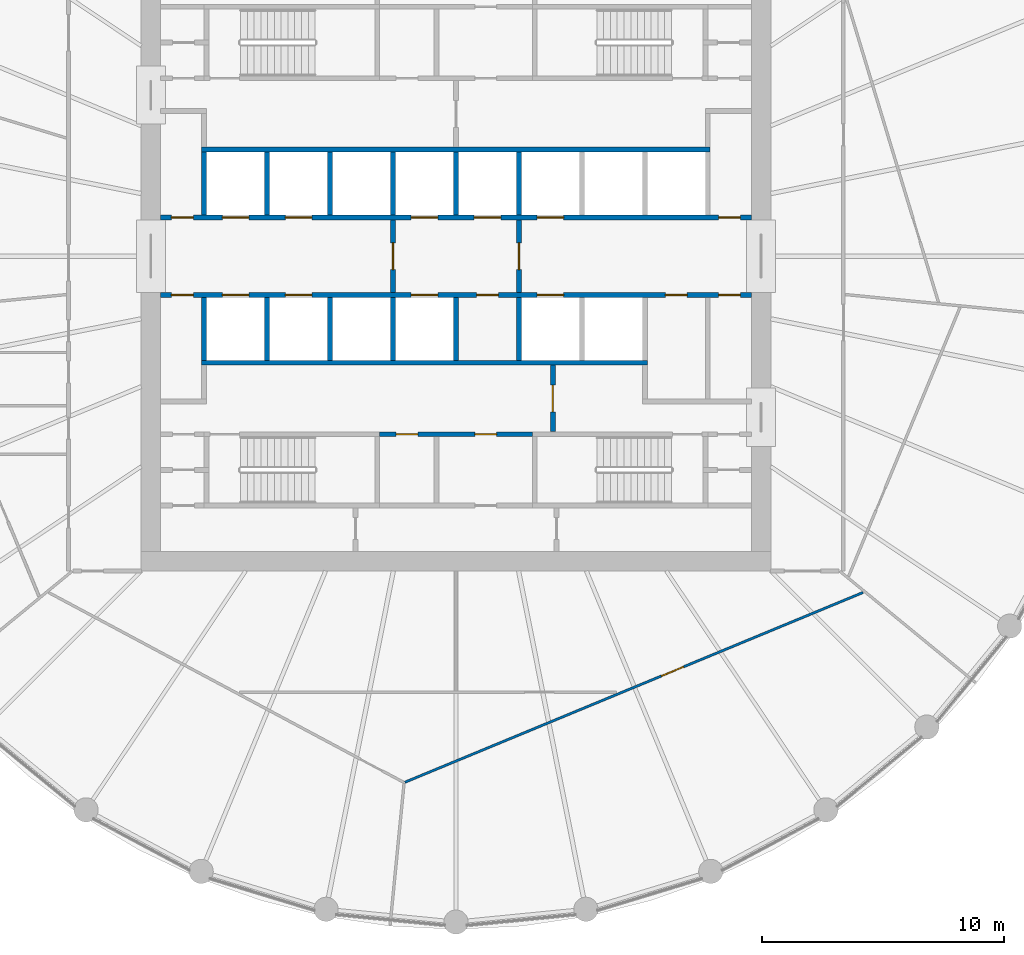
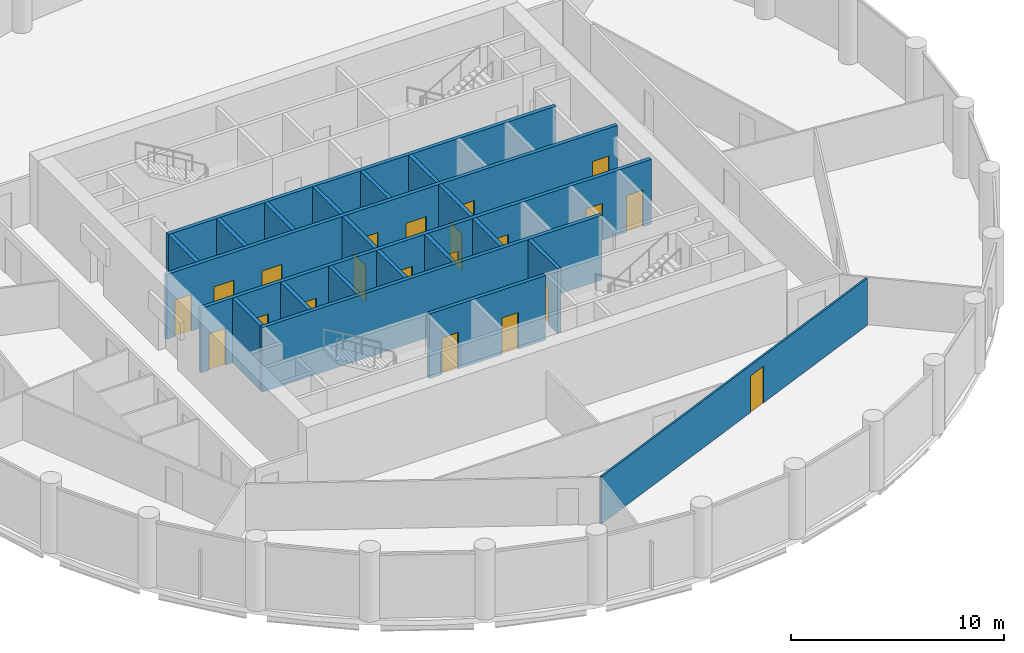
# One storey, part 5 of 9: 21 doors, 21 walls, 21 openings.
"""IFC4 building model written with IfcOpenShell, lengths in metres."""

from ifc_helpers import new_model, si_unit, direction, frame, frame_2d, origin, place, context, subcontext, project, spatial, polyline, rectangle, outline, extrude, material, layer, layer_set, type_object, element, fill, save


model = new_model("IFC4")

# Units and contexts
model_context = context("Model", 3, precision=1e-05, world=origin(), true_north=direction((0.0, 1.0)))
body_context = subcontext(model_context, "Body", "Model", "MODEL_VIEW")
ifc_project = project(units=[si_unit("LENGTHUNIT", "METRE"), si_unit("AREAUNIT", "SQUARE_METRE"), si_unit("VOLUMEUNIT", "CUBIC_METRE"), si_unit("PLANEANGLEUNIT", "RADIAN"), si_unit("MASSUNIT", "GRAM", prefix="KILO")], contexts=[model_context])

# Site, building, storey
site_placement = place(None, origin())
site = spatial("IfcSite", under=ifc_project, at=site_placement, CompositionType="ELEMENT")
building_placement = place(site_placement, origin())
building = spatial("IfcBuilding", under=site, at=building_placement, Name="Corvane Civic Tower", CompositionType="ELEMENT")
storey_placement = place(building_placement, frame((0.0, 0.0, 221.5)))
storey = spatial("IfcBuildingStorey", under=building, at=storey_placement, Name="L52", CompositionType="ELEMENT", Elevation=221.5)

# Wall, openings, doors
ifc_material_1 = material(Name="Concrete C30/37", Category="concrete")
ifc_layer_1 = layer(ifc_material_1, 0.199951171875)
ifc_layer_set_1 = layer_set([ifc_layer_1], Name="Concrete C30/37")
wall_type_1 = type_object("IfcWallType", Name="CR-WALL-200", PredefinedType="PARTITIONING", material=ifc_layer_set_1)
wall_1_placement = place(storey_placement, frame((-3.14990234375, -7.35009765625, 0.0), z_axis=(0.0, 0.0, 1.0), x_axis=(1.0, 0.0, 0.0)))
wall_1 = element("IfcWall", 1, at=wall_1_placement, inside=storey, type_object=wall_type_1, Name="L52 core partition wall", PredefinedType="PARTITIONING", context=body_context, shape_type="SweptSolid", body=[
    extrude(rectangle(XDim=6.2998046875, YDim=0.199951171875, at=frame_2d((3.14990234375, 0.0))), origin(), (0.0, 0.0, 1.0), 3.699951171875),
])
opening_1_placement = place(wall_1_placement, frame((0.675048828125, 0.0, 0.0)))
opening_1 = element("IfcOpeningElement", 2, at=opening_1_placement, cuts=wall_1, Name="Opening L52.C09", PredefinedType="OPENING", context=body_context, shape_type="SweptSolid", body=[
    extrude(rectangle(XDim=0.89990234375, YDim=2.10009765625, at=frame_2d((0.449951171875, 1.050048828125))), frame((0.0, 0.10986328125, 0.0), z_axis=(0.0, -1.0, 0.0), x_axis=(1.0, 0.0, 0.0)), (0.0, 0.0, 1.0), 0.219970703125),
])
opening_2_placement = place(wall_1_placement, frame((3.925048828125, 0.0, 0.0)))
opening_2 = element("IfcOpeningElement", 3, at=opening_2_placement, cuts=wall_1, Name="Opening L52.C10", PredefinedType="OPENING", context=body_context, shape_type="SweptSolid", body=[
    extrude(rectangle(XDim=0.89990234375, YDim=2.10009765625, at=frame_2d((0.449951171875, 1.050048828125))), frame((0.0, 0.10986328125, 0.0), z_axis=(0.0, -1.0, 0.0), x_axis=(1.0, 0.0, 0.0)), (0.0, 0.0, 1.0), 0.219970703125),
])
ifc_material_2 = material(Name="Steel fire door leaf", Category="steel")
door_type_1 = type_object("IfcDoorType", Name="CR-DOOR-900", OperationType="SINGLE_SWING_LEFT", PredefinedType="DOOR", material=ifc_material_2)
door_1_placement = place(opening_1_placement, origin())
door_1 = element("IfcDoor", 4, at=door_1_placement, inside=storey, type_object=door_type_1, Name="L52 door", OperationType="SINGLE_SWING_LEFT", OverallHeight=2.10009765625, OverallWidth=0.89990234375, PredefinedType="DOOR", context=body_context, shape_type="SweptSolid", body=[
    extrude(rectangle(XDim=0.89990234375, YDim=2.10009765625, at=frame_2d((0.449951171875, 1.050048828125))), frame((0.0, 0.02490234375, 0.0), z_axis=(0.0, -1.0, 0.0), x_axis=(1.0, 0.0, 0.0)), (0.0, 0.0, 1.0), 0.050048828125),
])
fill(opening_1, door_1)
door_2_placement = place(opening_2_placement, origin())
door_2 = element("IfcDoor", 5, at=door_2_placement, inside=storey, type_object=door_type_1, Name="L52 door", OperationType="SINGLE_SWING_LEFT", OverallHeight=2.10009765625, OverallWidth=0.89990234375, PredefinedType="DOOR", context=body_context, shape_type="SweptSolid", body=[
    extrude(rectangle(XDim=0.89990234375, YDim=2.10009765625, at=frame_2d((0.449951171875, 1.050048828125))), frame((0.0, 0.02490234375, 0.0), z_axis=(0.0, -1.0, 0.0), x_axis=(1.0, 0.0, 0.0)), (0.0, 0.0, 1.0), 0.050048828125),
])
fill(opening_2, door_2)

wall_2_placement = place(storey_placement, frame((-12.199951171875, -1.60009765625, 0.0), z_axis=(0.0, 0.0, 1.0), x_axis=(1.0, 0.0, 0.0)))
wall_2 = element("IfcWall", 6, at=wall_2_placement, inside=storey, type_object=wall_type_1, Name="L52 lift shaft wall", PredefinedType="PARTITIONING", context=body_context, shape_type="SweptSolid", body=[
    extrude(rectangle(XDim=24.39990234375, YDim=0.199951171875, at=frame_2d((12.199951171875, 0.0))), origin(), (0.0, 0.0, 1.0), 3.699951171875),
])
opening_3_placement = place(wall_2_placement, frame((2.550048828125, 0.0, 0.0)))
opening_3 = element("IfcOpeningElement", 7, at=opening_3_placement, cuts=wall_2, Name="Opening LD", PredefinedType="OPENING", context=body_context, shape_type="SweptSolid", body=[
    extrude(rectangle(XDim=1.10009765625, YDim=2.10009765625, at=frame_2d((0.550048828125, 1.050048828125))), frame((0.0, 0.10986328125, 0.0), z_axis=(0.0, -1.0, 0.0), x_axis=(1.0, 0.0, 0.0)), (0.0, 0.0, 1.0), 0.219970703125),
])
opening_4_placement = place(wall_2_placement, frame((5.14990234375, 0.0, 0.0)))
opening_4 = element("IfcOpeningElement", 8, at=opening_4_placement, cuts=wall_2, Name="Opening LD", PredefinedType="OPENING", context=body_context, shape_type="SweptSolid", body=[
    extrude(rectangle(XDim=1.10009765625, YDim=2.10009765625, at=frame_2d((0.550048828125, 1.050048828125))), frame((0.0, 0.10986328125, 0.0), z_axis=(0.0, -1.0, 0.0), x_axis=(1.0, 0.0, 0.0)), (0.0, 0.0, 1.0), 0.219970703125),
])
opening_5_placement = place(wall_2_placement, frame((10.35009765625, 0.0, 0.0)))
opening_5 = element("IfcOpeningElement", 9, at=opening_5_placement, cuts=wall_2, Name="Opening LD", PredefinedType="OPENING", context=body_context, shape_type="SweptSolid", body=[
    extrude(rectangle(XDim=1.10009765625, YDim=2.10009765625, at=frame_2d((0.550048828125, 1.050048828125))), frame((0.0, 0.10986328125, 0.0), z_axis=(0.0, -1.0, 0.0), x_axis=(1.0, 0.0, 0.0)), (0.0, 0.0, 1.0), 0.219970703125),
])
opening_6_placement = place(wall_2_placement, frame((13.050048828125, 0.0, 0.0)))
opening_6 = element("IfcOpeningElement", 10, at=opening_6_placement, cuts=wall_2, Name="Opening L52.C03", PredefinedType="OPENING", context=body_context, shape_type="SweptSolid", body=[
    extrude(rectangle(XDim=0.89990234375, YDim=2.10009765625, at=frame_2d((0.449951171875, 1.050048828125))), frame((0.0, 0.10986328125, 0.0), z_axis=(0.0, -1.0, 0.0), x_axis=(1.0, 0.0, 0.0)), (0.0, 0.0, 1.0), 0.219970703125),
])
opening_7_placement = place(wall_2_placement, frame((15.550048828125, 0.0, 0.0)))
opening_7 = element("IfcOpeningElement", 11, at=opening_7_placement, cuts=wall_2, Name="Opening LD", PredefinedType="OPENING", context=body_context, shape_type="SweptSolid", body=[
    extrude(rectangle(XDim=1.10009765625, YDim=2.10009765625, at=frame_2d((0.550048828125, 1.050048828125))), frame((0.0, 0.10986328125, 0.0), z_axis=(0.0, -1.0, 0.0), x_axis=(1.0, 0.0, 0.0)), (0.0, 0.0, 1.0), 0.219970703125),
])
opening_8_placement = place(wall_2_placement, frame((0.449951171875, 0.0, 0.0)))
opening_8 = element("IfcOpeningElement", 12, at=opening_8_placement, cuts=wall_2, Name="Opening L52.C04", PredefinedType="OPENING", context=body_context, shape_type="SweptSolid", body=[
    extrude(rectangle(XDim=0.89990234375, YDim=2.10009765625, at=frame_2d((0.449951171875, 1.050048828125))), frame((0.0, 0.10986328125, 0.0), z_axis=(0.0, -1.0, 0.0), x_axis=(1.0, 0.0, 0.0)), (0.0, 0.0, 1.0), 0.219970703125),
])
opening_9_placement = place(wall_2_placement, frame((20.85009765625, 0.0, 0.0)))
opening_9 = element("IfcOpeningElement", 13, at=opening_9_placement, cuts=wall_2, Name="Opening L52.C05", PredefinedType="OPENING", context=body_context, shape_type="SweptSolid", body=[
    extrude(rectangle(XDim=0.89990234375, YDim=2.10009765625, at=frame_2d((0.449951171875, 1.050048828125))), frame((0.0, 0.10986328125, 0.0), z_axis=(0.0, -1.0, 0.0), x_axis=(1.0, 0.0, 0.0)), (0.0, 0.0, 1.0), 0.219970703125),
])
opening_10_placement = place(wall_2_placement, frame((23.050048828125, 0.0, 0.0)))
opening_10 = element("IfcOpeningElement", 14, at=opening_10_placement, cuts=wall_2, Name="Opening L52.C06", PredefinedType="OPENING", context=body_context, shape_type="SweptSolid", body=[
    extrude(rectangle(XDim=0.89990234375, YDim=2.10009765625, at=frame_2d((0.449951171875, 1.050048828125))), frame((0.0, 0.10986328125, 0.0), z_axis=(0.0, -1.0, 0.0), x_axis=(1.0, 0.0, 0.0)), (0.0, 0.0, 1.0), 0.219970703125),
])
door_3_placement = place(opening_6_placement, origin())
door_3 = element("IfcDoor", 15, at=door_3_placement, inside=storey, type_object=door_type_1, Name="L52 door", OperationType="SINGLE_SWING_LEFT", OverallHeight=2.10009765625, OverallWidth=0.89990234375, PredefinedType="DOOR", context=body_context, shape_type="SweptSolid", body=[
    extrude(rectangle(XDim=0.89990234375, YDim=2.10009765625, at=frame_2d((0.449951171875, 1.050048828125))), frame((0.0, 0.02490234375, 0.0), z_axis=(0.0, -1.0, 0.0), x_axis=(1.0, 0.0, 0.0)), (0.0, 0.0, 1.0), 0.050048828125),
])
fill(opening_6, door_3)
door_4_placement = place(opening_8_placement, origin())
door_4 = element("IfcDoor", 16, at=door_4_placement, inside=storey, type_object=door_type_1, Name="L52 door", OperationType="SINGLE_SWING_LEFT", OverallHeight=2.10009765625, OverallWidth=0.89990234375, PredefinedType="DOOR", context=body_context, shape_type="SweptSolid", body=[
    extrude(rectangle(XDim=0.89990234375, YDim=2.10009765625, at=frame_2d((0.449951171875, 1.050048828125))), frame((0.0, 0.02490234375, 0.0), z_axis=(0.0, -1.0, 0.0), x_axis=(1.0, 0.0, 0.0)), (0.0, 0.0, 1.0), 0.050048828125),
])
fill(opening_8, door_4)
door_5_placement = place(opening_9_placement, origin())
door_5 = element("IfcDoor", 17, at=door_5_placement, inside=storey, type_object=door_type_1, Name="L52 door", OperationType="SINGLE_SWING_LEFT", OverallHeight=2.10009765625, OverallWidth=0.89990234375, PredefinedType="DOOR", context=body_context, shape_type="SweptSolid", body=[
    extrude(rectangle(XDim=0.89990234375, YDim=2.10009765625, at=frame_2d((0.449951171875, 1.050048828125))), frame((0.0, 0.02490234375, 0.0), z_axis=(0.0, -1.0, 0.0), x_axis=(1.0, 0.0, 0.0)), (0.0, 0.0, 1.0), 0.050048828125),
])
fill(opening_9, door_5)
door_6_placement = place(opening_10_placement, origin())
door_6 = element("IfcDoor", 18, at=door_6_placement, inside=storey, type_object=door_type_1, Name="L52 door", OperationType="SINGLE_SWING_LEFT", OverallHeight=2.10009765625, OverallWidth=0.89990234375, PredefinedType="DOOR", context=body_context, shape_type="SweptSolid", body=[
    extrude(rectangle(XDim=0.89990234375, YDim=2.10009765625, at=frame_2d((0.449951171875, 1.050048828125))), frame((0.0, 0.02490234375, 0.0), z_axis=(0.0, -1.0, 0.0), x_axis=(1.0, 0.0, 0.0)), (0.0, 0.0, 1.0), 0.050048828125),
])
fill(opening_10, door_6)
ifc_material_3 = material(Name="Stainless steel 316 door leaves", Category="steel")
door_type_2 = type_object("IfcDoorType", Name="LD", OperationType="DOUBLE_DOOR_SLIDING", PredefinedType="DOOR", material=ifc_material_3)
door_7_placement = place(opening_3_placement, origin())
door_7 = element("IfcDoor", 19, at=door_7_placement, inside=storey, type_object=door_type_2, Name="L52 landing door", OperationType="DOUBLE_DOOR_SLIDING", OverallHeight=2.10009765625, OverallWidth=1.10009765625, PredefinedType="DOOR", context=body_context, shape_type="SweptSolid", body=[
    extrude(rectangle(XDim=1.10009765625, YDim=2.10009765625, at=frame_2d((0.550048828125, 1.050048828125))), frame((0.0, 0.02490234375, 0.0), z_axis=(0.0, -1.0, 0.0), x_axis=(1.0, 0.0, 0.0)), (0.0, 0.0, 1.0), 0.050048828125),
])
fill(opening_3, door_7)
door_8_placement = place(opening_4_placement, origin())
door_8 = element("IfcDoor", 20, at=door_8_placement, inside=storey, type_object=door_type_2, Name="L52 landing door", OperationType="DOUBLE_DOOR_SLIDING", OverallHeight=2.10009765625, OverallWidth=1.10009765625, PredefinedType="DOOR", context=body_context, shape_type="SweptSolid", body=[
    extrude(rectangle(XDim=1.10009765625, YDim=2.10009765625, at=frame_2d((0.550048828125, 1.050048828125))), frame((0.0, 0.02490234375, 0.0), z_axis=(0.0, -1.0, 0.0), x_axis=(1.0, 0.0, 0.0)), (0.0, 0.0, 1.0), 0.050048828125),
])
fill(opening_4, door_8)
door_9_placement = place(opening_5_placement, origin())
door_9 = element("IfcDoor", 21, at=door_9_placement, inside=storey, type_object=door_type_2, Name="L52 landing door", OperationType="DOUBLE_DOOR_SLIDING", OverallHeight=2.10009765625, OverallWidth=1.10009765625, PredefinedType="DOOR", context=body_context, shape_type="SweptSolid", body=[
    extrude(rectangle(XDim=1.10009765625, YDim=2.10009765625, at=frame_2d((0.550048828125, 1.050048828125))), frame((0.0, 0.02490234375, 0.0), z_axis=(0.0, -1.0, 0.0), x_axis=(1.0, 0.0, 0.0)), (0.0, 0.0, 1.0), 0.050048828125),
])
fill(opening_5, door_9)
door_10_placement = place(opening_7_placement, origin())
door_10 = element("IfcDoor", 22, at=door_10_placement, inside=storey, type_object=door_type_2, Name="L52 landing door", OperationType="DOUBLE_DOOR_SLIDING", OverallHeight=2.10009765625, OverallWidth=1.10009765625, PredefinedType="DOOR", context=body_context, shape_type="SweptSolid", body=[
    extrude(rectangle(XDim=1.10009765625, YDim=2.10009765625, at=frame_2d((0.550048828125, 1.050048828125))), frame((0.0, 0.02490234375, 0.0), z_axis=(0.0, -1.0, 0.0), x_axis=(1.0, 0.0, 0.0)), (0.0, 0.0, 1.0), 0.050048828125),
])
fill(opening_7, door_10)

wall_3_placement = place(storey_placement, frame((-12.199951171875, 1.60009765625, 0.0), z_axis=(0.0, 0.0, 1.0), x_axis=(1.0, 0.0, 0.0)))
wall_3 = element("IfcWall", 23, at=wall_3_placement, inside=storey, type_object=wall_type_1, Name="L52 lift shaft wall", PredefinedType="PARTITIONING", context=body_context, shape_type="SweptSolid", body=[
    extrude(rectangle(XDim=24.39990234375, YDim=0.199951171875, at=frame_2d((12.199951171875, 0.0))), origin(), (0.0, 0.0, 1.0), 3.699951171875),
])
opening_11_placement = place(wall_3_placement, frame((2.550048828125, 0.0, 0.0)))
opening_11 = element("IfcOpeningElement", 24, at=opening_11_placement, cuts=wall_3, Name="Opening LD", PredefinedType="OPENING", context=body_context, shape_type="SweptSolid", body=[
    extrude(rectangle(XDim=1.10009765625, YDim=2.10009765625, at=frame_2d((0.550048828125, 1.050048828125))), frame((0.0, 0.10986328125, 0.0), z_axis=(0.0, -1.0, 0.0), x_axis=(1.0, 0.0, 0.0)), (0.0, 0.0, 1.0), 0.219970703125),
])
opening_12_placement = place(wall_3_placement, frame((5.14990234375, 0.0, 0.0)))
opening_12 = element("IfcOpeningElement", 25, at=opening_12_placement, cuts=wall_3, Name="Opening LD", PredefinedType="OPENING", context=body_context, shape_type="SweptSolid", body=[
    extrude(rectangle(XDim=1.10009765625, YDim=2.10009765625, at=frame_2d((0.550048828125, 1.050048828125))), frame((0.0, 0.10986328125, 0.0), z_axis=(0.0, -1.0, 0.0), x_axis=(1.0, 0.0, 0.0)), (0.0, 0.0, 1.0), 0.219970703125),
])
opening_13_placement = place(wall_3_placement, frame((10.35009765625, 0.0, 0.0)))
opening_13 = element("IfcOpeningElement", 26, at=opening_13_placement, cuts=wall_3, Name="Opening LD", PredefinedType="OPENING", context=body_context, shape_type="SweptSolid", body=[
    extrude(rectangle(XDim=1.10009765625, YDim=2.10009765625, at=frame_2d((0.550048828125, 1.050048828125))), frame((0.0, 0.10986328125, 0.0), z_axis=(0.0, -1.0, 0.0), x_axis=(1.0, 0.0, 0.0)), (0.0, 0.0, 1.0), 0.219970703125),
])
opening_14_placement = place(wall_3_placement, frame((12.949951171875, 0.0, 0.0)))
opening_14 = element("IfcOpeningElement", 27, at=opening_14_placement, cuts=wall_3, Name="Opening LD", PredefinedType="OPENING", context=body_context, shape_type="SweptSolid", body=[
    extrude(rectangle(XDim=1.10009765625, YDim=2.10009765625, at=frame_2d((0.550048828125, 1.050048828125))), frame((0.0, 0.10986328125, 0.0), z_axis=(0.0, -1.0, 0.0), x_axis=(1.0, 0.0, 0.0)), (0.0, 0.0, 1.0), 0.219970703125),
])
opening_15_placement = place(wall_3_placement, frame((15.550048828125, 0.0, 0.0)))
opening_15 = element("IfcOpeningElement", 28, at=opening_15_placement, cuts=wall_3, Name="Opening LD", PredefinedType="OPENING", context=body_context, shape_type="SweptSolid", body=[
    extrude(rectangle(XDim=1.10009765625, YDim=2.10009765625, at=frame_2d((0.550048828125, 1.050048828125))), frame((0.0, 0.10986328125, 0.0), z_axis=(0.0, -1.0, 0.0), x_axis=(1.0, 0.0, 0.0)), (0.0, 0.0, 1.0), 0.219970703125),
])
opening_16_placement = place(wall_3_placement, frame((0.449951171875, 0.0, 0.0)))
opening_16 = element("IfcOpeningElement", 29, at=opening_16_placement, cuts=wall_3, Name="Opening L52.C01", PredefinedType="OPENING", context=body_context, shape_type="SweptSolid", body=[
    extrude(rectangle(XDim=0.89990234375, YDim=2.10009765625, at=frame_2d((0.449951171875, 1.050048828125))), frame((0.0, 0.10986328125, 0.0), z_axis=(0.0, -1.0, 0.0), x_axis=(1.0, 0.0, 0.0)), (0.0, 0.0, 1.0), 0.219970703125),
])
opening_17_placement = place(wall_3_placement, frame((23.050048828125, 0.0, 0.0)))
opening_17 = element("IfcOpeningElement", 30, at=opening_17_placement, cuts=wall_3, Name="Opening L52.C02", PredefinedType="OPENING", context=body_context, shape_type="SweptSolid", body=[
    extrude(rectangle(XDim=0.89990234375, YDim=2.10009765625, at=frame_2d((0.449951171875, 1.050048828125))), frame((0.0, 0.10986328125, 0.0), z_axis=(0.0, -1.0, 0.0), x_axis=(1.0, 0.0, 0.0)), (0.0, 0.0, 1.0), 0.219970703125),
])
door_11_placement = place(opening_16_placement, origin())
door_11 = element("IfcDoor", 31, at=door_11_placement, inside=storey, type_object=door_type_1, Name="L52 door", OperationType="SINGLE_SWING_LEFT", OverallHeight=2.10009765625, OverallWidth=0.89990234375, PredefinedType="DOOR", context=body_context, shape_type="SweptSolid", body=[
    extrude(rectangle(XDim=0.89990234375, YDim=2.10009765625, at=frame_2d((0.449951171875, 1.050048828125))), frame((0.0, 0.02490234375, 0.0), z_axis=(0.0, -1.0, 0.0), x_axis=(1.0, 0.0, 0.0)), (0.0, 0.0, 1.0), 0.050048828125),
])
fill(opening_16, door_11)
door_12_placement = place(opening_17_placement, origin())
door_12 = element("IfcDoor", 32, at=door_12_placement, inside=storey, type_object=door_type_1, Name="L52 door", OperationType="SINGLE_SWING_LEFT", OverallHeight=2.10009765625, OverallWidth=0.89990234375, PredefinedType="DOOR", context=body_context, shape_type="SweptSolid", body=[
    extrude(rectangle(XDim=0.89990234375, YDim=2.10009765625, at=frame_2d((0.449951171875, 1.050048828125))), frame((0.0, 0.02490234375, 0.0), z_axis=(0.0, -1.0, 0.0), x_axis=(1.0, 0.0, 0.0)), (0.0, 0.0, 1.0), 0.050048828125),
])
fill(opening_17, door_12)
door_13_placement = place(opening_11_placement, origin())
door_13 = element("IfcDoor", 33, at=door_13_placement, inside=storey, type_object=door_type_2, Name="L52 landing door", OperationType="DOUBLE_DOOR_SLIDING", OverallHeight=2.10009765625, OverallWidth=1.10009765625, PredefinedType="DOOR", context=body_context, shape_type="SweptSolid", body=[
    extrude(rectangle(XDim=1.10009765625, YDim=2.10009765625, at=frame_2d((0.550048828125, 1.050048828125))), frame((0.0, 0.02490234375, 0.0), z_axis=(0.0, -1.0, 0.0), x_axis=(1.0, 0.0, 0.0)), (0.0, 0.0, 1.0), 0.050048828125),
])
fill(opening_11, door_13)
door_14_placement = place(opening_12_placement, origin())
door_14 = element("IfcDoor", 34, at=door_14_placement, inside=storey, type_object=door_type_2, Name="L52 landing door", OperationType="DOUBLE_DOOR_SLIDING", OverallHeight=2.10009765625, OverallWidth=1.10009765625, PredefinedType="DOOR", context=body_context, shape_type="SweptSolid", body=[
    extrude(rectangle(XDim=1.10009765625, YDim=2.10009765625, at=frame_2d((0.550048828125, 1.050048828125))), frame((0.0, 0.02490234375, 0.0), z_axis=(0.0, -1.0, 0.0), x_axis=(1.0, 0.0, 0.0)), (0.0, 0.0, 1.0), 0.050048828125),
])
fill(opening_12, door_14)
door_15_placement = place(opening_13_placement, origin())
door_15 = element("IfcDoor", 35, at=door_15_placement, inside=storey, type_object=door_type_2, Name="L52 landing door", OperationType="DOUBLE_DOOR_SLIDING", OverallHeight=2.10009765625, OverallWidth=1.10009765625, PredefinedType="DOOR", context=body_context, shape_type="SweptSolid", body=[
    extrude(rectangle(XDim=1.10009765625, YDim=2.10009765625, at=frame_2d((0.550048828125, 1.050048828125))), frame((0.0, 0.02490234375, 0.0), z_axis=(0.0, -1.0, 0.0), x_axis=(1.0, 0.0, 0.0)), (0.0, 0.0, 1.0), 0.050048828125),
])
fill(opening_13, door_15)
door_16_placement = place(opening_14_placement, origin())
door_16 = element("IfcDoor", 36, at=door_16_placement, inside=storey, type_object=door_type_2, Name="L52 landing door", OperationType="DOUBLE_DOOR_SLIDING", OverallHeight=2.10009765625, OverallWidth=1.10009765625, PredefinedType="DOOR", context=body_context, shape_type="SweptSolid", body=[
    extrude(rectangle(XDim=1.10009765625, YDim=2.10009765625, at=frame_2d((0.550048828125, 1.050048828125))), frame((0.0, 0.02490234375, 0.0), z_axis=(0.0, -1.0, 0.0), x_axis=(1.0, 0.0, 0.0)), (0.0, 0.0, 1.0), 0.050048828125),
])
fill(opening_14, door_16)
door_17_placement = place(opening_15_placement, origin())
door_17 = element("IfcDoor", 37, at=door_17_placement, inside=storey, type_object=door_type_2, Name="L52 landing door", OperationType="DOUBLE_DOOR_SLIDING", OverallHeight=2.10009765625, OverallWidth=1.10009765625, PredefinedType="DOOR", context=body_context, shape_type="SweptSolid", body=[
    extrude(rectangle(XDim=1.10009765625, YDim=2.10009765625, at=frame_2d((0.550048828125, 1.050048828125))), frame((0.0, 0.02490234375, 0.0), z_axis=(0.0, -1.0, 0.0), x_axis=(1.0, 0.0, 0.0)), (0.0, 0.0, 1.0), 0.050048828125),
])
fill(opening_15, door_17)

# Wall, opening, door
wall_4_placement = place(storey_placement, frame((-2.60009765625, -1.5, 0.0), z_axis=(0.0, 0.0, 1.0), x_axis=(0.0, 1.0, 0.0)))
wall_4 = element("IfcWall", 38, at=wall_4_placement, inside=storey, type_object=wall_type_1, Name="L52 firefighting lobby wall", PredefinedType="PARTITIONING", context=body_context, shape_type="SweptSolid", body=[
    extrude(rectangle(XDim=3.0, YDim=0.199951171875, at=frame_2d((1.5, 0.0))), origin(), (0.0, 0.0, 1.0), 3.699951171875),
])
opening_18_placement = place(wall_4_placement, frame((0.949951171875, 0.0, 0.0)))
opening_18 = element("IfcOpeningElement", 39, at=opening_18_placement, cuts=wall_4, Name="Opening L52.C30", PredefinedType="OPENING", context=body_context, shape_type="SweptSolid", body=[
    extrude(rectangle(XDim=1.10009765625, YDim=2.10009765625, at=frame_2d((0.550048828125, 1.050048828125))), frame((0.0, 0.10986328125, 0.0), z_axis=(0.0, -1.0, 0.0), x_axis=(1.0, 0.0, 0.0)), (0.0, 0.0, 1.0), 0.219970703125),
])
ifc_material_4 = material(Name="Steel fire door leaf", Category="steel")
door_type_3 = type_object("IfcDoorType", Name="CR-DOOR-FFL-1100", OperationType="SINGLE_SWING_LEFT", PredefinedType="DOOR", material=ifc_material_4)
door_18_placement = place(opening_18_placement, origin())
door_18 = element("IfcDoor", 40, at=door_18_placement, inside=storey, type_object=door_type_3, Name="L52 lobby door", OperationType="SINGLE_SWING_LEFT", OverallHeight=2.10009765625, OverallWidth=1.10009765625, PredefinedType="DOOR", context=body_context, shape_type="SweptSolid", body=[
    extrude(rectangle(XDim=1.10009765625, YDim=2.10009765625, at=frame_2d((0.550048828125, 1.050048828125))), frame((0.0, 0.02490234375, 0.0), z_axis=(0.0, -1.0, 0.0), x_axis=(1.0, 0.0, 0.0)), (0.0, 0.0, 1.0), 0.050048828125),
])
fill(opening_18, door_18)

wall_5_placement = place(storey_placement, frame((2.60009765625, -1.5, 0.0), z_axis=(0.0, 0.0, 1.0), x_axis=(0.0, 1.0, 0.0)))
wall_5 = element("IfcWall", 41, at=wall_5_placement, inside=storey, type_object=wall_type_1, Name="L52 firefighting lobby wall", PredefinedType="PARTITIONING", context=body_context, shape_type="SweptSolid", body=[
    extrude(rectangle(XDim=3.0, YDim=0.199951171875, at=frame_2d((1.5, 0.0))), origin(), (0.0, 0.0, 1.0), 3.699951171875),
])
opening_19_placement = place(wall_5_placement, frame((0.949951171875, 0.0, 0.0)))
opening_19 = element("IfcOpeningElement", 42, at=opening_19_placement, cuts=wall_5, Name="Opening L52.C31", PredefinedType="OPENING", context=body_context, shape_type="SweptSolid", body=[
    extrude(rectangle(XDim=1.10009765625, YDim=2.10009765625, at=frame_2d((0.550048828125, 1.050048828125))), frame((0.0, 0.10986328125, 0.0), z_axis=(0.0, -1.0, 0.0), x_axis=(1.0, 0.0, 0.0)), (0.0, 0.0, 1.0), 0.219970703125),
])
door_19_placement = place(opening_19_placement, origin())
door_19 = element("IfcDoor", 43, at=door_19_placement, inside=storey, type_object=door_type_3, Name="L52 lobby door", OperationType="SINGLE_SWING_LEFT", OverallHeight=2.10009765625, OverallWidth=1.10009765625, PredefinedType="DOOR", context=body_context, shape_type="SweptSolid", body=[
    extrude(rectangle(XDim=1.10009765625, YDim=2.10009765625, at=frame_2d((0.550048828125, 1.050048828125))), frame((0.0, 0.02490234375, 0.0), z_axis=(0.0, -1.0, 0.0), x_axis=(1.0, 0.0, 0.0)), (0.0, 0.0, 1.0), 0.050048828125),
])
fill(opening_19, door_19)

wall_6_placement = place(storey_placement, frame((4.0, -7.25, 0.0), z_axis=(0.0, 0.0, 1.0), x_axis=(0.0, 1.0, 0.0)))
wall_6 = element("IfcWall", 44, at=wall_6_placement, inside=storey, type_object=wall_type_1, Name="L52 core partition wall", PredefinedType="PARTITIONING", context=body_context, shape_type="SweptSolid", body=[
    extrude(rectangle(XDim=2.75, YDim=0.199951171875, at=frame_2d((1.375, 0.0))), origin(), (0.0, 0.0, 1.0), 3.699951171875),
])
opening_20_placement = place(wall_6_placement, frame((0.824951171875, 0.0, 0.0)))
opening_20 = element("IfcOpeningElement", 45, at=opening_20_placement, cuts=wall_6, Name="Opening L52.C33", PredefinedType="OPENING", context=body_context, shape_type="SweptSolid", body=[
    extrude(rectangle(XDim=1.10009765625, YDim=2.10009765625, at=frame_2d((0.550048828125, 1.050048828125))), frame((0.0, 0.10986328125, 0.0), z_axis=(0.0, -1.0, 0.0), x_axis=(1.0, 0.0, 0.0)), (0.0, 0.0, 1.0), 0.219970703125),
])
door_20_placement = place(opening_20_placement, origin())
door_20 = element("IfcDoor", 46, at=door_20_placement, inside=storey, type_object=door_type_3, Name="L52 lobby door", OperationType="SINGLE_SWING_LEFT", OverallHeight=2.10009765625, OverallWidth=1.10009765625, PredefinedType="DOOR", context=body_context, shape_type="SweptSolid", body=[
    extrude(rectangle(XDim=1.10009765625, YDim=2.10009765625, at=frame_2d((0.550048828125, 1.050048828125))), frame((0.0, 0.02490234375, 0.0), z_axis=(0.0, -1.0, 0.0), x_axis=(1.0, 0.0, 0.0)), (0.0, 0.0, 1.0), 0.050048828125),
])
fill(opening_20, door_20)

# Walls
wall_7_placement = place(storey_placement, origin())
element("IfcWall", 47, at=wall_7_placement, inside=storey, type_object=wall_type_1, Name="L52 core partition wall", PredefinedType="PARTITIONING", context=body_context, shape_type="SweptSolid", body=[
    extrude(outline(polyline([(7.89990234375, -4.300048828125), (7.89990234375, -4.5), (-10.5, -4.5), (-10.5, -4.300048828125), (7.89990234375, -4.300048828125)])), origin(), (0.0, 0.0, 1.0), 3.699951171875),
])
wall_8_placement = place(storey_placement, origin())
element("IfcWall", 48, at=wall_8_placement, inside=storey, type_object=wall_type_1, Name="L52 core partition wall", PredefinedType="PARTITIONING", context=body_context, shape_type="SweptSolid", body=[
    extrude(outline(polyline([(-2.5, -1.699951171875), (-2.5, -4.2998046875), (-2.699951171875, -4.2998046875), (-2.699951171875, -1.699951171875), (-2.5, -1.699951171875)])), origin(), (0.0, 0.0, 1.0), 3.699951171875),
])
wall_9_placement = place(storey_placement, origin())
element("IfcWall", 49, at=wall_9_placement, inside=storey, type_object=wall_type_1, Name="L52 core partition wall", PredefinedType="PARTITIONING", context=body_context, shape_type="SweptSolid", body=[
    extrude(outline(polyline([(2.699951171875, -1.699951171875), (2.699951171875, -4.2998046875), (2.5, -4.2998046875), (2.5, -1.699951171875), (2.699951171875, -1.699951171875)])), origin(), (0.0, 0.0, 1.0), 3.699951171875),
])
wall_10_placement = place(storey_placement, origin())
element("IfcWall", 50, at=wall_10_placement, inside=storey, type_object=wall_type_1, Name="L52 core partition wall", PredefinedType="PARTITIONING", context=body_context, shape_type="SweptSolid", body=[
    extrude(outline(polyline([(0.10009765625, -1.699951171875), (0.10009765625, -4.2998046875), (-0.10009765625, -4.2998046875), (-0.10009765625, -1.699951171875), (0.10009765625, -1.699951171875)])), origin(), (0.0, 0.0, 1.0), 3.699951171875),
])
wall_11_placement = place(storey_placement, origin())
element("IfcWall", 51, at=wall_11_placement, inside=storey, type_object=wall_type_1, Name="L52 core partition wall", PredefinedType="PARTITIONING", context=body_context, shape_type="SweptSolid", body=[
    extrude(outline(polyline([(-10.300048828125, -1.699951171875), (-10.300048828125, -4.2998046875), (-10.5, -4.2998046875), (-10.5, -1.699951171875), (-10.300048828125, -1.699951171875)])), origin(), (0.0, 0.0, 1.0), 3.699951171875),
])
wall_12_placement = place(storey_placement, origin())
element("IfcWall", 52, at=wall_12_placement, inside=storey, type_object=wall_type_1, Name="L52 core partition wall", PredefinedType="PARTITIONING", context=body_context, shape_type="SweptSolid", body=[
    extrude(outline(polyline([(-7.699951171875, -1.699951171875), (-7.699951171875, -4.2998046875), (-7.89990234375, -4.2998046875), (-7.89990234375, -1.699951171875), (-7.699951171875, -1.699951171875)])), origin(), (0.0, 0.0, 1.0), 3.699951171875),
])
wall_13_placement = place(storey_placement, origin())
element("IfcWall", 53, at=wall_13_placement, inside=storey, type_object=wall_type_1, Name="L52 core partition wall", PredefinedType="PARTITIONING", context=body_context, shape_type="SweptSolid", body=[
    extrude(outline(polyline([(-5.10009765625, -1.699951171875), (-5.10009765625, -4.2998046875), (-5.300048828125, -4.2998046875), (-5.300048828125, -1.699951171875), (-5.10009765625, -1.699951171875)])), origin(), (0.0, 0.0, 1.0), 3.699951171875),
])
wall_14_placement = place(storey_placement, origin())
element("IfcWall", 54, at=wall_14_placement, inside=storey, type_object=wall_type_1, Name="L52 core partition wall", PredefinedType="PARTITIONING", context=body_context, shape_type="SweptSolid", body=[
    extrude(outline(polyline([(10.5, 4.5), (10.5, 4.300048828125), (-10.5, 4.300048828125), (-10.5, 4.5), (10.5, 4.5)])), origin(), (0.0, 0.0, 1.0), 3.699951171875),
])
wall_15_placement = place(storey_placement, origin())
element("IfcWall", 55, at=wall_15_placement, inside=storey, type_object=wall_type_1, Name="L52 core partition wall", PredefinedType="PARTITIONING", context=body_context, shape_type="SweptSolid", body=[
    extrude(outline(polyline([(-2.5, 1.699951171875), (-2.699951171875, 1.699951171875), (-2.699951171875, 4.2998046875), (-2.5, 4.2998046875), (-2.5, 1.699951171875)])), origin(), (0.0, 0.0, 1.0), 3.699951171875),
])
wall_16_placement = place(storey_placement, origin())
element("IfcWall", 56, at=wall_16_placement, inside=storey, type_object=wall_type_1, Name="L52 core partition wall", PredefinedType="PARTITIONING", context=body_context, shape_type="SweptSolid", body=[
    extrude(outline(polyline([(2.699951171875, 1.699951171875), (2.5, 1.699951171875), (2.5, 4.2998046875), (2.699951171875, 4.2998046875), (2.699951171875, 1.699951171875)])), origin(), (0.0, 0.0, 1.0), 3.699951171875),
])
wall_17_placement = place(storey_placement, origin())
element("IfcWall", 57, at=wall_17_placement, inside=storey, type_object=wall_type_1, Name="L52 core partition wall", PredefinedType="PARTITIONING", context=body_context, shape_type="SweptSolid", body=[
    extrude(outline(polyline([(0.10009765625, 1.699951171875), (-0.10009765625, 1.699951171875), (-0.10009765625, 4.2998046875), (0.10009765625, 4.2998046875), (0.10009765625, 1.699951171875)])), origin(), (0.0, 0.0, 1.0), 3.699951171875),
])
wall_18_placement = place(storey_placement, origin())
element("IfcWall", 58, at=wall_18_placement, inside=storey, type_object=wall_type_1, Name="L52 core partition wall", PredefinedType="PARTITIONING", context=body_context, shape_type="SweptSolid", body=[
    extrude(outline(polyline([(-10.300048828125, 1.699951171875), (-10.5, 1.699951171875), (-10.5, 4.2998046875), (-10.300048828125, 4.2998046875), (-10.300048828125, 1.699951171875)])), origin(), (0.0, 0.0, 1.0), 3.699951171875),
])
wall_19_placement = place(storey_placement, origin())
element("IfcWall", 59, at=wall_19_placement, inside=storey, type_object=wall_type_1, Name="L52 core partition wall", PredefinedType="PARTITIONING", context=body_context, shape_type="SweptSolid", body=[
    extrude(outline(polyline([(-7.699951171875, 1.699951171875), (-7.89990234375, 1.699951171875), (-7.89990234375, 4.2998046875), (-7.699951171875, 4.2998046875), (-7.699951171875, 1.699951171875)])), origin(), (0.0, 0.0, 1.0), 3.699951171875),
])
wall_20_placement = place(storey_placement, origin())
element("IfcWall", 60, at=wall_20_placement, inside=storey, type_object=wall_type_1, Name="L52 core partition wall", PredefinedType="PARTITIONING", context=body_context, shape_type="SweptSolid", body=[
    extrude(outline(polyline([(-5.10009765625, 1.699951171875), (-5.300048828125, 1.699951171875), (-5.300048828125, 4.2998046875), (-5.10009765625, 4.2998046875), (-5.10009765625, 1.699951171875)])), origin(), (0.0, 0.0, 1.0), 3.699951171875),
])

# Wall, opening, door
ifc_material_5 = material(Name="Plasterboard")
ifc_layer_2 = layer(ifc_material_5, 0.10009765625)
ifc_layer_set_2 = layer_set([ifc_layer_2], Name="Plasterboard")
wall_type_2 = type_object("IfcWallType", Name="Partition 100 plasterboard on studs", PredefinedType="PARTITIONING", material=ifc_layer_set_2)
wall_21_placement = place(storey_placement, frame((-2.11328125, -21.726318359375, 0.0), z_axis=(0.0, 0.0, 1.0), x_axis=(0.923879386252, 0.382683785467, 0.0)))
wall_21 = element("IfcWall", 61, at=wall_21_placement, inside=storey, type_object=wall_type_2, Name="Partition L52.002", PredefinedType="PARTITIONING", context=body_context, shape_type="SweptSolid", body=[
    extrude(rectangle(XDim=20.47998046875, YDim=0.10009765625, at=frame_2d((10.239990234375, 0.0))), origin(), (0.0, 0.0, 1.0), 2.699951171875),
])
opening_21_placement = place(wall_21_placement, frame((11.467529296875, 0.0, 0.0)))
opening_21 = element("IfcOpeningElement", 62, at=opening_21_placement, cuts=wall_21, Name="Opening L52.002", PredefinedType="OPENING", context=body_context, shape_type="SweptSolid", body=[
    extrude(rectangle(XDim=1.0, YDim=2.10009765625, at=frame_2d((0.5, 1.050048828125))), frame((0.0, 0.06005859375, 0.0), z_axis=(0.0, -1.0, 0.0), x_axis=(1.0, 0.0, 0.0)), (0.0, 0.0, 1.0), 0.1201171875),
])
ifc_material_6 = material(Name="Timber", Category="wood")
door_type_4 = type_object("IfcDoorType", Name="Single door 1000", OperationType="NOTDEFINED", PredefinedType="DOOR", material=ifc_material_6)
door_21_placement = place(opening_21_placement, frame((1.0, 0.0, 0.0), z_axis=(0.0, 0.0, 1.0), x_axis=(-1.0, 0.0, 0.0)))
door_21 = element("IfcDoor", 63, at=door_21_placement, inside=storey, type_object=door_type_4, Name="Door L52.002", OperationType="SINGLE_SWING_RIGHT", OverallHeight=2.10009765625, OverallWidth=1.0, PredefinedType="DOOR", context=body_context, shape_type="SweptSolid", body=[
    extrude(rectangle(XDim=1.0, YDim=2.10009765625, at=frame_2d((0.5, 1.050048828125))), frame((0.0, 0.02490234375, 0.0), z_axis=(0.0, -1.0, 0.0), x_axis=(1.0, 0.0, 0.0)), (0.0, 0.0, 1.0), 0.050048828125),
])
fill(opening_21, door_21)

save(model, "model.ifc")
